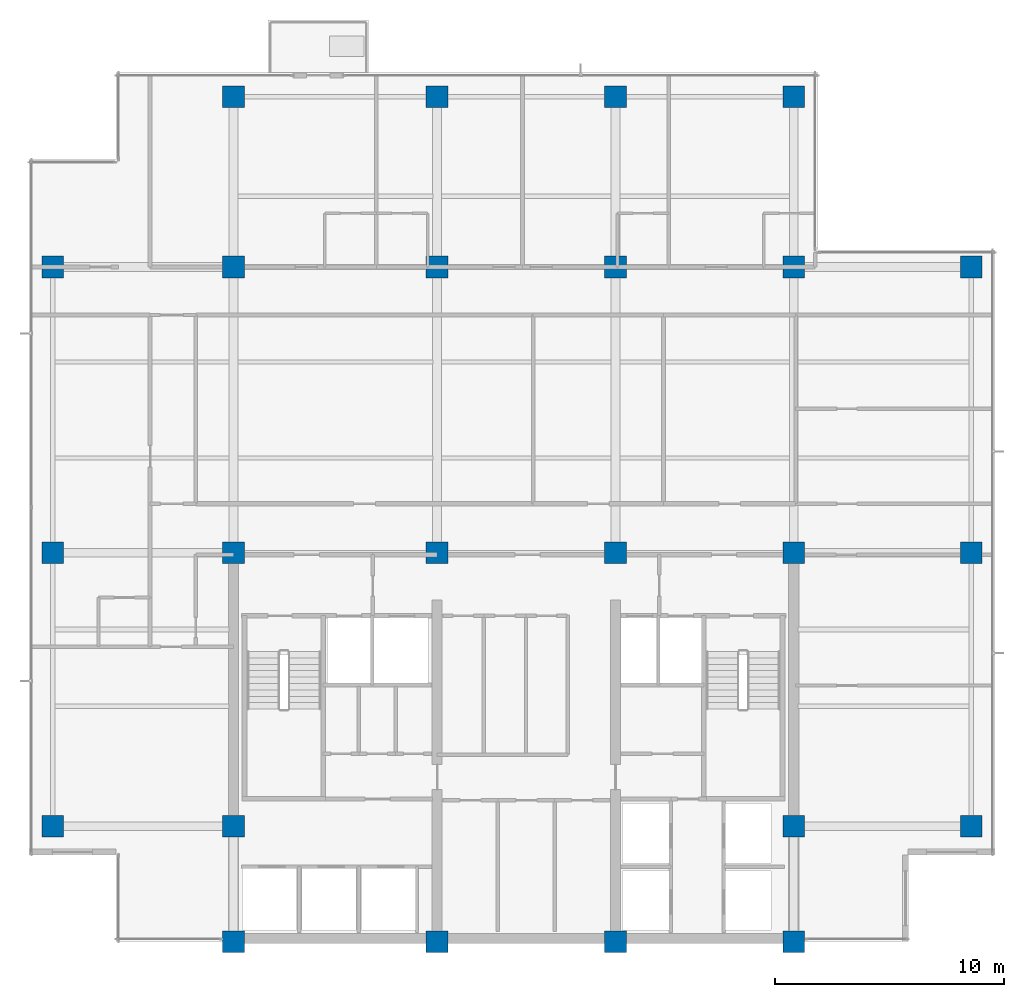
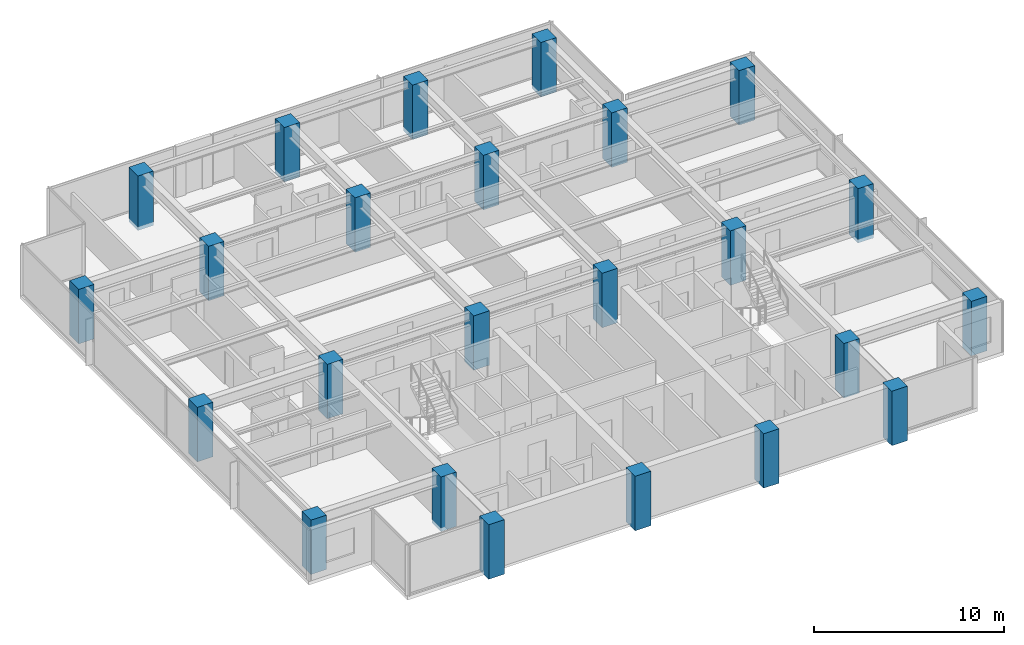
# One storey, part 1 of 14: 24 columns.
"""IFC4 building model written with IfcOpenShell, lengths in metres."""

import ifcopenshell
import ifcopenshell.guid

model = None  # the IFC model being written
_history = None  # IfcOwnerHistory: only IFC2X3 demands one
_inside = {}  # id of a spatial element -> (the spatial element, [elements in it])
_under = {}  # id of a project, library or spatial element -> (it, [spatial elements below it])
_declared = {}  # id of a project -> (the project, [libraries it declares])
_typed = {}  # id of a type object -> (the type object, [elements of that type])
_made_of = {}  # id of a material, layer set ... -> (it, [elements and type objects made of it])


def new_model(schema):
    """Start an empty IFC model of exactly this schema.

    Asked for "IFC4X3", IfcOpenShell would pick the latest addendum, in which some entities
    have other attributes; the version numbers below select the first issue.
    IFC2X3 requires an IfcOwnerHistory on every rooted entity: one is made here for all.
    """
    global model, _history
    if schema == "IFC4X3":
        model = ifcopenshell.file(schema_version=(4, 3, 0, 0))
    else:
        model = ifcopenshell.file(schema=schema)
    _inside.clear()
    _under.clear()
    _declared.clear()
    _typed.clear()
    _made_of.clear()
    _history = None
    if model.schema == "IFC2X3":
        org = make("IfcOrganization", Name="unknown")
        user = make(
            "IfcPersonAndOrganization",
            ThePerson=make("IfcPerson", FamilyName="unknown"),
            TheOrganization=org,
        )
        app = make(
            "IfcApplication",
            ApplicationDeveloper=org,
            Version="unknown",
            ApplicationFullName="unknown",
            ApplicationIdentifier="unknown",
        )
        _history = make(
            "IfcOwnerHistory",
            OwningUser=user,
            OwningApplication=app,
            ChangeAction="ADDED",
            CreationDate=0,
        )
    return model


def make(cls, **values):
    """One entity of the class cls with the attributes given. An attribute that is None is left unset."""
    return model.create_entity(
        cls, **{name: value for name, value in values.items() if value is not None}
    )


def rooted(cls, **values):
    """An entity with a GlobalId (a new one), such as an element, a storey or a relation."""
    return make(cls, GlobalId=ifcopenshell.guid.new(), OwnerHistory=_history, **values)


def si_unit(unit_type, name, prefix=None):
    """IfcSIUnit, for example si_unit("LENGTHUNIT", "METRE", prefix="MILLI")."""
    return make("IfcSIUnit", UnitType=unit_type, Prefix=prefix, Name=name)


def assignment(units):
    """IfcUnitAssignment: the units of a project."""
    return None if units is None else make("IfcUnitAssignment", Units=units)


def point(xyz):
    """IfcCartesianPoint."""
    return None if xyz is None else make("IfcCartesianPoint", Coordinates=xyz)


def direction(xyz):
    """IfcDirection."""
    return None if xyz is None else make("IfcDirection", DirectionRatios=xyz)


def frame(location, z_axis=None, x_axis=None):
    """IfcAxis2Placement3D, a coordinate frame: its origin and axes. An axis left out is left unset."""
    return make(
        "IfcAxis2Placement3D",
        Location=point(location),
        Axis=direction(z_axis),
        RefDirection=direction(x_axis),
    )


def frame_2d(location, x_axis=None):
    """IfcAxis2Placement2D, a coordinate frame in the plane: its origin and x axis."""
    return make(
        "IfcAxis2Placement2D", Location=point(location), RefDirection=direction(x_axis)
    )


def origin():
    """The frame at (0, 0, 0) with its axes left unset."""
    return frame((0.0, 0.0, 0.0))


def origin_2d():
    """The frame at (0, 0) in the plane with its x axis left unset."""
    return frame_2d((0.0, 0.0))


def place(relative_to, where):
    """IfcLocalPlacement: puts the frame where relative to a parent placement (None: the world)."""
    return make(
        "IfcLocalPlacement", PlacementRelTo=relative_to, RelativePlacement=where
    )


def context(
    kind, dimensions, precision=None, world=None, true_north=None, identifier=None
):
    """IfcGeometricRepresentationContext, for example the 3D "Model" context."""
    return make(
        "IfcGeometricRepresentationContext",
        ContextIdentifier=identifier,
        ContextType=kind,
        CoordinateSpaceDimension=dimensions,
        Precision=precision,
        WorldCoordinateSystem=world,
        TrueNorth=true_north,
    )


def subcontext(parent, identifier, kind, view, scale=None):
    """IfcGeometricRepresentationSubContext, for example "Body" below "Model"."""
    return make(
        "IfcGeometricRepresentationSubContext",
        ContextIdentifier=identifier,
        ContextType=kind,
        ParentContext=parent,
        TargetScale=scale,
        TargetView=view,
    )


def project(units=None, contexts=None):
    """IfcProject with its units and contexts."""
    return rooted(
        "IfcProject",
        Name="project",
        RepresentationContexts=contexts,
        UnitsInContext=assignment(units),
    )


def spatial(cls, under=None, at=None, **own):
    """A site, building, storey or space (cls), placed at a placement, below another one or the project."""
    s = rooted(cls, ObjectPlacement=at, **own)
    if under is not None:
        _under.setdefault(under.id(), (under, []))[1].append(s)
    return s


def profile(cls, at=None, kind="AREA", **sizes):
    """A parametric profile (cls). Its sizes go by their IFC names, for example OverallWidth=200.0."""
    return make(cls, ProfileType=kind, Position=at, **sizes)


def rectangle(**sizes):
    """IfcRectangleProfileDef."""
    return profile("IfcRectangleProfileDef", **sizes)


def extrude(swept, where, along, depth):
    """IfcExtrudedAreaSolid: the profile swept, set in the frame where, extruded along a direction by depth."""
    return make(
        "IfcExtrudedAreaSolid",
        SweptArea=swept,
        Position=where,
        ExtrudedDirection=direction(along),
        Depth=depth,
    )


def shape(context_of_items, identifier, shape_type, items):
    """IfcShapeRepresentation: the items that make up one representation, for example the "Body"."""
    return make(
        "IfcShapeRepresentation",
        ContextOfItems=context_of_items,
        RepresentationIdentifier=identifier,
        RepresentationType=shape_type,
        Items=items,
    )


def material(Name=None, Category=None):
    """IfcMaterial."""
    return make("IfcMaterial", Name=Name, Category=Category)


def material_profile(
    of_material, cross_section, Name=None, Category=None, Priority=None
):
    """IfcMaterialProfile: a cross section and its material."""
    return make(
        "IfcMaterialProfile",
        Name=Name,
        Material=of_material,
        Profile=cross_section,
        Priority=Priority,
        Category=Category,
    )


def profile_set(profiles, Name=None, composite=None):
    """IfcMaterialProfileSet."""
    return make(
        "IfcMaterialProfileSet",
        Name=Name,
        MaterialProfiles=profiles,
        CompositeProfile=composite,
    )


def made_of(thing, what):
    """Note that an element or type object is made of a material, layer set ...; save() writes the relation."""
    if what is not None:
        _made_of.setdefault(what.id(), (what, []))[1].append(thing)
    return thing


def type_object(cls, material=None, **own):
    """A type object (cls), such as IfcWallType, which elements share."""
    return made_of(rooted(cls, **own), material)


def element(
    cls,
    number,
    at=None,
    inside=None,
    cuts=None,
    type_object=None,
    material=None,
    context=None,
    identifier="Body",
    shape_type=None,
    held_by="IfcProductDefinitionShape",
    body=None,
    shapes=None,
    **own,
):
    """One element of the class cls, such as IfcWall. Its Tag is "e" and its number.

    at: its placement. inside: the storey or other place that contains it. cuts: it is an
    opening in that element (IfcRelVoidsElement). A single representation is given by context,
    identifier, shape_type and body (its items); several are given by shapes. held_by: the class
    of the entity that holds the representations. save() writes the other relations.
    """
    e = rooted(cls, Tag="e%d" % number, ObjectPlacement=at, **own)
    if body is not None:
        shapes = [shape(context, identifier, shape_type, body)]
    if shapes is not None:
        e.Representation = make(held_by, Representations=shapes)
    if inside is not None:
        _inside.setdefault(inside.id(), (inside, []))[1].append(e)
    if cuts is not None:
        rooted(
            "IfcRelVoidsElement", RelatingBuildingElement=cuts, RelatedOpeningElement=e
        )
    if type_object is not None:
        _typed.setdefault(type_object.id(), (type_object, []))[1].append(e)
    return made_of(e, material)


def aggregate(whole, parts):
    """IfcRelAggregates: a whole, such as a stair, and the parts it consists of."""
    return rooted("IfcRelAggregates", RelatingObject=whole, RelatedObjects=parts)


def save(model, path):
    """Write the relations noted so far, then the file.

    IfcRelAggregates (storeys below a building ...), IfcRelContainedInSpatialStructure (elements
    in a storey), IfcRelDefinesByType, IfcRelAssociatesMaterial and IfcRelDeclares: one each for
    every whole, place, type object, material and project.
    """
    for whole, parts in _under.values():
        aggregate(whole, parts)
    for where, things in _inside.values():
        rooted(
            "IfcRelContainedInSpatialStructure",
            RelatedElements=things,
            RelatingStructure=where,
        )
    for kind, things in _typed.values():
        rooted("IfcRelDefinesByType", RelatedObjects=things, RelatingType=kind)
    for what, things in _made_of.values():
        rooted("IfcRelAssociatesMaterial", RelatedObjects=things, RelatingMaterial=what)
    for by, libraries in _declared.values():
        rooted("IfcRelDeclares", RelatingContext=by, RelatedDefinitions=libraries)
    model.write(path)


model = new_model("IFC4")

# Units and contexts
model_context = context("Model", 3, precision=1e-05, world=origin(), true_north=direction((0.0, 1.0)))
body_context = subcontext(model_context, "Body", "Model", "MODEL_VIEW")
ifc_project = project(units=[si_unit("LENGTHUNIT", "METRE"), si_unit("AREAUNIT", "SQUARE_METRE"), si_unit("VOLUMEUNIT", "CUBIC_METRE"), si_unit("PLANEANGLEUNIT", "RADIAN"), si_unit("MASSUNIT", "GRAM", prefix="KILO")], contexts=[model_context])

# Site, building, storey
site_placement = place(None, origin())
site = spatial("IfcSite", under=ifc_project, at=site_placement, CompositionType="ELEMENT")
building_placement = place(site_placement, origin())
building = spatial("IfcBuilding", under=site, at=building_placement, Name="Qalmaran Belvedere Hotel", CompositionType="ELEMENT")
storey_placement = place(building_placement, frame((0.0, 0.0, 228.39990234375)))
storey = spatial("IfcBuildingStorey", under=building, at=storey_placement, Name="L58", CompositionType="ELEMENT", Elevation=228.39990234375)

# Columns
ifc_material = material(Name="Concrete C50/60", Category="concrete")
ifc_material_profile = material_profile(ifc_material, rectangle(XDim=0.949951171875, YDim=0.949951171875, at=origin_2d()), Name="CC950X950")
ifc_profile_set = profile_set([ifc_material_profile], Name="Concrete C50/60")
column_type = type_object("IfcColumnType", Name="COL-Z4-CC950", PredefinedType="COLUMN", material=ifc_profile_set)
for number, where, z_axis, x_axis, name in (
    (1, (20.300048828125, 3.5, -0.239990234375), (0.0, 0.0, 1.0), (1.0, 0.0, 0.0), "L58 Column C4B"),
    (2, (29.199951171875, 3.5, -0.239990234375), (0.0, 0.0, 1.0), (1.0, 0.0, 0.0), "L58 Column C5B"),
    (3, (37.0, 3.5, -0.239990234375), (0.0, 0.0, 1.0), (1.0, 0.0, 0.0), "L58 Column C6B"),
    (4, (44.800048828125, 3.5, -0.239990234375), (0.0, 0.0, 1.0), (1.0, 0.0, 0.0), "L58 Column C7B"),
    (5, (20.300048828125, 8.550048828125, -0.239990234375), (0.0, 0.0, 1.0), (1.0, 0.0, 0.0), "L58 Column C4C"),
    (6, (44.800048828125, 8.550048828125, -0.239990234375), (0.0, 0.0, 1.0), (1.0, 0.0, 0.0), "L58 Column C7C"),
    (7, (20.300048828125, 20.5, -0.239990234375), (0.0, 0.0, 1.0), (1.0, 0.0, 0.0), "L58 Column C4D"),
    (8, (29.199951171875, 20.5, -0.239990234375), (0.0, 0.0, 1.0), (1.0, 0.0, 0.0), "L58 Column C5D"),
    (9, (37.0, 20.5, -0.239990234375), (0.0, 0.0, 1.0), (1.0, 0.0, 0.0), "L58 Column C6D"),
    (10, (44.800048828125, 20.5, -0.239990234375), (0.0, 0.0, 1.0), (1.0, 0.0, 0.0), "L58 Column C7D"),
    (11, (20.300048828125, 33.0, -0.239990234375), (0.0, 0.0, 1.0), (1.0, 0.0, 0.0), "L58 Column C4F"),
    (12, (29.199951171875, 33.0, -0.239990234375), (0.0, 0.0, 1.0), (1.0, 0.0, 0.0), "L58 Column C5F"),
    (13, (37.0, 33.0, -0.239990234375), (0.0, 0.0, 1.0), (1.0, 0.0, 0.0), "L58 Column C6F"),
    (14, (44.800048828125, 33.0, -0.239990234375), (0.0, 0.0, 1.0), (1.0, 0.0, 0.0), "L58 Column C7F"),
    (15, (12.39990234375, 8.550048828125, -0.239990234375), (0.0, 0.0, 1.0), (1.0, 0.0, 0.0), "L58 Column CW1"),
    (16, (12.39990234375, 20.5, -0.239990234375), (0.0, 0.0, 1.0), (1.0, 0.0, 0.0), "L58 Column CW3"),
    (17, (12.39990234375, 33.0, -0.239990234375), (0.0, 0.0, 1.0), (1.0, 0.0, 0.0), "L58 Column CW4"),
    (18, (52.550048828125, 8.550048828125, -0.239990234375), (0.0, 0.0, 1.0), (1.0, 0.0, 0.0), "L58 Column CE1"),
    (19, (52.550048828125, 20.5, -0.239990234375), (0.0, 0.0, 1.0), (1.0, 0.0, 0.0), "L58 Column CE3"),
    (20, (52.550048828125, 33.0, -0.239990234375), (0.0, 0.0, 1.0), (1.0, 0.0, 0.0), "L58 Column CE4"),
    (21, (20.300048828125, 40.449951171875, -0.239990234375), (0.0, 0.0, 1.0), (1.0, 0.0, 0.0), "L58 Column CN1"),
    (22, (29.199951171875, 40.449951171875, -0.239990234375), (0.0, 0.0, 1.0), (1.0, 0.0, 0.0), "L58 Column CN2"),
    (23, (37.0, 40.449951171875, -0.239990234375), (0.0, 0.0, 1.0), (1.0, 0.0, 0.0), "L58 Column CN3"),
    (24, (44.800048828125, 40.449951171875, -0.239990234375), (0.0, 0.0, 1.0), (1.0, 0.0, 0.0), "L58 Column CN4"),
):
    element("IfcColumn", number, at=place(storey_placement, frame(where, z_axis=z_axis, x_axis=x_axis)), inside=storey, type_object=column_type, Name=name, PredefinedType="COLUMN", context=body_context, shape_type="SweptSolid", body=[
        extrude(rectangle(XDim=0.949951171875, YDim=0.949951171875, at=origin_2d()), origin(), (0.0, 0.0, 1.0), 3.5),
    ])

save(model, "model.ifc")
